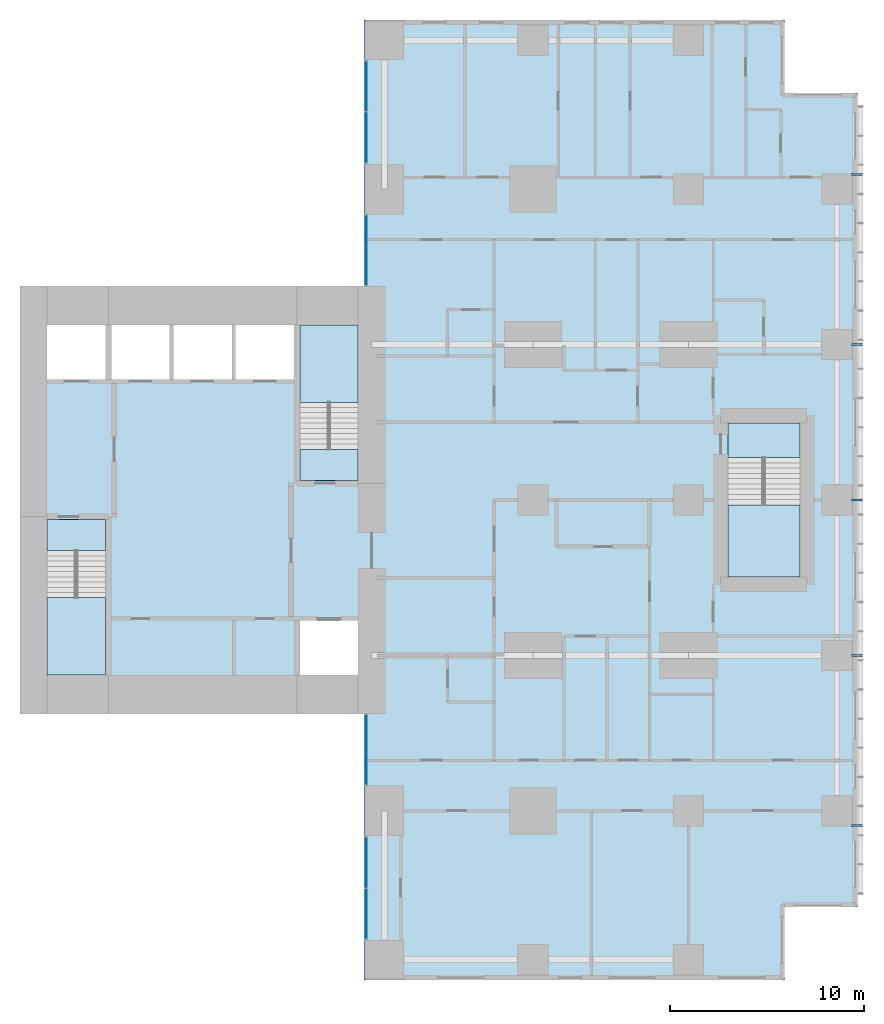
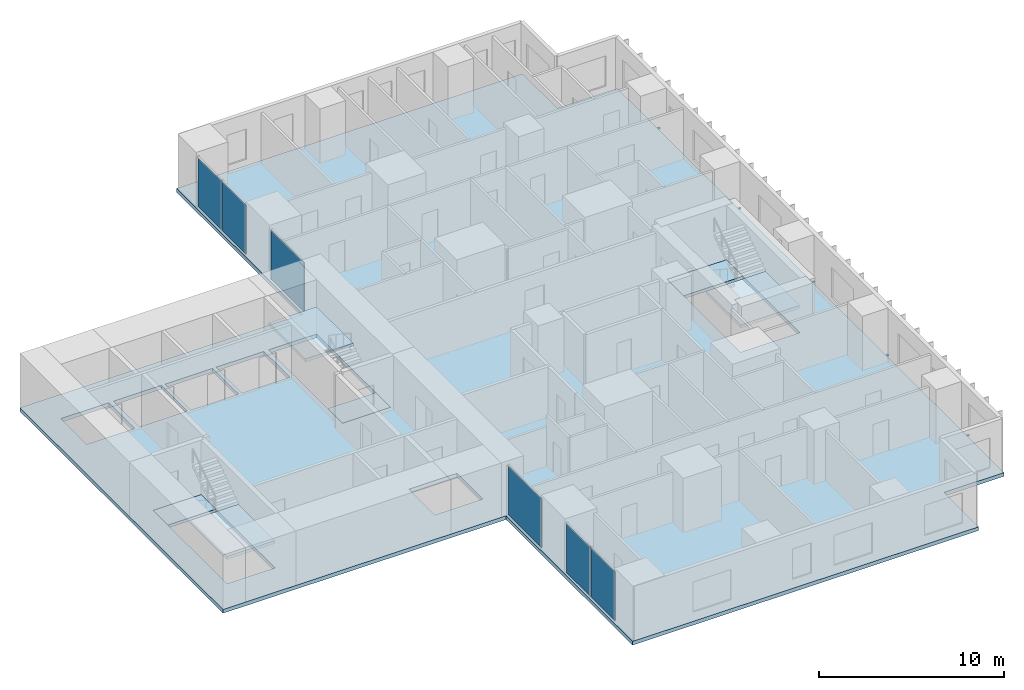
# One storey, part 4 of 12: 7 slabs, 6 plates, 5 members, 7 elements without a shape of their own.
"""IFC4 building model written with IfcOpenShell, lengths in metres."""

from ifc_helpers import new_model, si_unit, direction, frame, origin, origin_2d, place, context, subcontext, project, spatial, polyline, rectangle, hollow_rectangle, outline, extrude, material, layer, layer_set, material_profile, profile_set, type_object, element, aggregate, save


model = new_model("IFC4")

# Units and contexts
model_context = context("Model", 3, precision=1e-05, world=origin(), true_north=direction((0.0, 1.0)))
body_context = subcontext(model_context, "Body", "Model", "MODEL_VIEW")
ifc_project = project(units=[si_unit("LENGTHUNIT", "METRE"), si_unit("AREAUNIT", "SQUARE_METRE"), si_unit("VOLUMEUNIT", "CUBIC_METRE"), si_unit("PLANEANGLEUNIT", "RADIAN"), si_unit("MASSUNIT", "GRAM", prefix="KILO")], contexts=[model_context])

# Site, building, storey
site_placement = place(None, origin())
site = spatial("IfcSite", under=ifc_project, at=site_placement, CompositionType="ELEMENT")
building_placement = place(site_placement, origin())
building = spatial("IfcBuilding", under=site, at=building_placement, Name="Cleftline Residences", CompositionType="ELEMENT")
storey_placement = place(building_placement, frame((0.0, 0.0, 270.0)))
storey = spatial("IfcBuildingStorey", under=building, at=storey_placement, Name="L71", CompositionType="ELEMENT", Elevation=270.0)

# Members
ifc_material_1 = material(Name="Steel S355, hot-dip galvanised", Category="steel")
ifc_material_profile = material_profile(ifc_material_1, hollow_rectangle(XDim=0.10009765625, YDim=0.10009765625, WallThickness=0.008056640625, InnerFilletRadius=0.008056640625, OuterFilletRadius=0.011962890625, at=origin_2d()))
ifc_profile_set = profile_set([ifc_material_profile], Name="Steel S355, hot-dip galvanised")
member_type = type_object("IfcMemberType", Name="BAGUETTE BRACKET SHS 100X100X8", PredefinedType="USERDEFINED", material=ifc_profile_set)
for number, where, z_axis, x_axis, name in (
    (1, (66.39990234375, 7.25, -0.14990234375), (1.0, 0.0, 0.0), (0.0, 1.0, 0.0), "Baguette bracket"),
    (2, (66.39990234375, 16.0, -0.14990234375), (1.0, 0.0, 0.0), (0.0, 1.0, 0.0), "Baguette bracket"),
    (3, (66.39990234375, 24.0, -0.14990234375), (1.0, 0.0, 0.0), (0.0, 1.0, 0.0), "Baguette bracket"),
    (4, (66.39990234375, 32.0, -0.14990234375), (1.0, 0.0, 0.0), (0.0, 1.0, 0.0), "Baguette bracket"),
    (5, (66.39990234375, 40.75, -0.14990234375), (1.0, 0.0, 0.0), (0.0, 1.0, 0.0), "Baguette bracket"),
):
    element("IfcMember", number, at=place(storey_placement, frame(where, z_axis=z_axis, x_axis=x_axis)), inside=storey, type_object=member_type, Name=name, ObjectType="BAGUETTE BRACKET", PredefinedType="USERDEFINED", context=body_context, shape_type="SweptSolid", body=[
        extrude(hollow_rectangle(XDim=0.10009765625, YDim=0.10009765625, WallThickness=0.008056640625, InnerFilletRadius=0.008056640625, OuterFilletRadius=0.011962890625, at=origin_2d()), origin(), (0.0, 0.0, 1.0), 0.550048828125),
    ])

# Curtain wall, plate
ifc_material_2 = material(Name="Aluminium framed curtain wall", Category="aluminium")
ifc_layer_1 = layer(ifc_material_2, 0.199951171875)
ifc_layer_set_1 = layer_set([ifc_layer_1], Name="CW1 CLEFT GLAZING")
curtain_wall_type = type_object("IfcCurtainWallType", Name="CW1 CLEFT GLAZING", PredefinedType="NOTDEFINED", material=ifc_layer_set_1)
curtain_wall_1_placement = place(storey_placement, origin())
curtain_wall_1 = element("IfcCurtainWall", 6, at=curtain_wall_1_placement, inside=storey, type_object=curtain_wall_type, Name="Curtain wall CW1", PredefinedType="NOTDEFINED")
ifc_material_3 = material(Name="Laminated clear glass", Category="glass")
ifc_layer_2 = layer(ifc_material_3, 0.028076171875)
ifc_layer_set_2 = layer_set([ifc_layer_2], Name="CW1 GLASS PANEL")
plate_type = type_object("IfcPlateType", Name="CW1 GLASS PANEL", PredefinedType="CURTAIN_PANEL", material=ifc_layer_set_2)
plate_1_placement = place(storey_placement, frame((41.425048828125, 11.14990234375, 0.06005859375), z_axis=(0.0, 0.0, 1.0), x_axis=(0.0, -1.0, 0.0)))
plate_1 = element("IfcPlate", 7, at=plate_1_placement, type_object=plate_type, Name="CW1 panel 1.1", PredefinedType="CURTAIN_PANEL", context=body_context, shape_type="SweptSolid", body=[
    extrude(rectangle(XDim=3.580078125, YDim=0.028076171875, at=origin_2d()), origin(), (0.0, 0.0, 1.0), 3.22998046875),
])
aggregate(curtain_wall_1, [plate_1])

# Curtain wall, plates
curtain_wall_2_placement = place(storey_placement, origin())
curtain_wall_2 = element("IfcCurtainWall", 8, at=curtain_wall_2_placement, inside=storey, type_object=curtain_wall_type, Name="Curtain wall CW1", PredefinedType="NOTDEFINED")
plate_2_placement = place(storey_placement, frame((41.425048828125, 5.347412109375, 0.06005859375), z_axis=(0.0, 0.0, 1.0), x_axis=(0.0, -1.0, 0.0)))
plate_2 = element("IfcPlate", 9, at=plate_2_placement, type_object=plate_type, Name="CW1 panel 1.1", PredefinedType="CURTAIN_PANEL", context=body_context, shape_type="SweptSolid", body=[
    extrude(rectangle(XDim=2.5849609375, YDim=0.028076171875, at=origin_2d()), origin(), (0.0, 0.0, 1.0), 3.22998046875),
])
plate_3_placement = place(storey_placement, frame((41.425048828125, 2.702392578125, 0.06005859375), z_axis=(0.0, 0.0, 1.0), x_axis=(0.0, -1.0, 0.0)))
plate_3 = element("IfcPlate", 10, at=plate_3_placement, type_object=plate_type, Name="CW1 panel 2.1", PredefinedType="CURTAIN_PANEL", context=body_context, shape_type="SweptSolid", body=[
    extrude(rectangle(XDim=2.5849609375, YDim=0.028076171875, at=origin_2d()), origin(), (0.0, 0.0, 1.0), 3.22998046875),
])
aggregate(curtain_wall_2, [plate_2, plate_3])

curtain_wall_3_placement = place(storey_placement, origin())
curtain_wall_3 = element("IfcCurtainWall", 11, at=curtain_wall_3_placement, inside=storey, type_object=curtain_wall_type, Name="Curtain wall CW1", PredefinedType="NOTDEFINED")
plate_4_placement = place(storey_placement, frame((41.425048828125, 45.297607421875, 0.06005859375), z_axis=(0.0, 0.0, 1.0), x_axis=(0.0, -1.0, 0.0)))
plate_4 = element("IfcPlate", 12, at=plate_4_placement, type_object=plate_type, Name="CW1 panel 1.1", PredefinedType="CURTAIN_PANEL", context=body_context, shape_type="SweptSolid", body=[
    extrude(rectangle(XDim=2.5849609375, YDim=0.028076171875, at=origin_2d()), origin(), (0.0, 0.0, 1.0), 3.22998046875),
])
plate_5_placement = place(storey_placement, frame((41.425048828125, 42.652587890625, 0.06005859375), z_axis=(0.0, 0.0, 1.0), x_axis=(0.0, -1.0, 0.0)))
plate_5 = element("IfcPlate", 13, at=plate_5_placement, type_object=plate_type, Name="CW1 panel 2.1", PredefinedType="CURTAIN_PANEL", context=body_context, shape_type="SweptSolid", body=[
    extrude(rectangle(XDim=2.5849609375, YDim=0.028076171875, at=origin_2d()), origin(), (0.0, 0.0, 1.0), 3.22998046875),
])
aggregate(curtain_wall_3, [plate_4, plate_5])

# Curtain wall, plate
curtain_wall_4_placement = place(storey_placement, origin())
curtain_wall_4 = element("IfcCurtainWall", 14, at=curtain_wall_4_placement, inside=storey, type_object=curtain_wall_type, Name="Curtain wall CW1", PredefinedType="NOTDEFINED")
plate_6_placement = place(storey_placement, frame((41.425048828125, 36.85009765625, 0.06005859375), z_axis=(0.0, 0.0, 1.0), x_axis=(0.0, -1.0, 0.0)))
plate_6 = element("IfcPlate", 15, at=plate_6_placement, type_object=plate_type, Name="CW1 panel 1.1", PredefinedType="CURTAIN_PANEL", context=body_context, shape_type="SweptSolid", body=[
    extrude(rectangle(XDim=3.580078125, YDim=0.028076171875, at=origin_2d()), origin(), (0.0, 0.0, 1.0), 3.22998046875),
])
aggregate(curtain_wall_4, [plate_6])

# Slab
ifc_material_4 = material(Name="Concrete B45", Category="concrete")
ifc_layer_3 = layer(ifc_material_4, 0.25)
ifc_layer_set_3 = layer_set([ifc_layer_3], Name="FLOOR SLAB 250")
slab_type_1 = type_object("IfcSlabType", Name="FLOOR SLAB 250", PredefinedType="FLOOR", material=ifc_layer_set_3)
slab_1_placement = place(storey_placement, frame((0.0, 0.0, -0.25)))
element("IfcSlab", 16, at=slab_1_placement, inside=storey, type_object=slab_type_1, Name="Floor slab L71", PredefinedType="FLOOR", context=body_context, shape_type="SweptSolid", body=[
    extrude(outline(polyline([(41.300048828125, 13.0), (41.300048828125, -0.699951171875), (62.949951171875, -0.699951171875), (62.949951171875, 3.050048828125), (66.699951171875, 3.050048828125), (66.699951171875, 44.949951171875), (62.949951171875, 44.949951171875), (62.949951171875, 48.699951171875), (41.300048828125, 48.699951171875), (41.300048828125, 35.0), (23.60009765625, 35.0), (23.60009765625, 13.0), (41.300048828125, 13.0)]), holes=[polyline([(28.0, 15.0), (28.0, 23.0), (25.0, 23.0), (25.0, 15.0), (28.0, 15.0)]), polyline([(41.0, 25.0), (41.0, 33.0), (38.0, 33.0), (38.0, 25.0), (41.0, 25.0)]), polyline([(28.0, 30.199951171875), (28.0, 33.0), (25.0, 33.0), (25.0, 30.199951171875), (28.0, 30.199951171875)]), polyline([(41.0, 15.0), (41.0, 17.800048828125), (38.0, 17.800048828125), (38.0, 15.0), (41.0, 15.0)]), polyline([(31.300048828125, 30.199951171875), (31.300048828125, 33.0), (28.300048828125, 33.0), (28.300048828125, 30.199951171875), (31.300048828125, 30.199951171875)]), polyline([(34.5, 30.199951171875), (34.5, 33.0), (31.5, 33.0), (31.5, 30.199951171875), (34.5, 30.199951171875)]), polyline([(37.699951171875, 30.199951171875), (37.699951171875, 33.0), (34.699951171875, 33.0), (34.699951171875, 30.199951171875), (37.699951171875, 30.199951171875)]), polyline([(63.72509765625, 20.02490234375), (63.72509765625, 27.97509765625), (60.02490234375, 27.97509765625), (60.02490234375, 20.02490234375), (63.72509765625, 20.02490234375)])]), origin(), (0.0, 0.0, 1.0), 0.25),
])

# Stair, slabs
ifc_material_5 = material(Name="Concrete B45, stone treads", Category="masonry")
stair_type_1 = type_object("IfcStairType", Name="STAIR A 1450 WIDE 180 RISER", PredefinedType="HALF_TURN_STAIR", material=ifc_material_5)
stair_1_placement = place(storey_placement, origin())
stair_1 = element("IfcStair", 17, at=stair_1_placement, inside=storey, type_object=stair_type_1, Name="Stair A L71", PredefinedType="HALF_TURN_STAIR")
ifc_material_6 = material(Name="Concrete B45", Category="concrete")
ifc_layer_4 = layer(ifc_material_6, 0.199951171875)
ifc_layer_set_4 = layer_set([ifc_layer_4], Name="STAIR LANDING 200")
slab_type_2 = type_object("IfcSlabType", Name="STAIR LANDING 200", PredefinedType="LANDING", material=ifc_layer_set_4)
slab_2_placement = place(storey_placement, frame((0.0, 0.0, -0.199951171875)))
slab_2 = element("IfcSlab", 18, at=slab_2_placement, type_object=slab_type_2, Name="ST-A landing 1", PredefinedType="LANDING", context=body_context, shape_type="SweptSolid", body=[
    extrude(outline(polyline([(25.0, 21.39990234375), (28.0, 21.39990234375), (28.0, 23.0), (25.0, 23.0), (25.0, 21.39990234375)])), origin(), (0.0, 0.0, 1.0), 0.199951171875),
])
slab_3_placement = place(storey_placement, frame((0.0, 0.0, 1.60009765625)))
slab_3 = element("IfcSlab", 19, at=slab_3_placement, type_object=slab_type_2, Name="ST-A landing 2", PredefinedType="LANDING", context=body_context, shape_type="SweptSolid", body=[
    extrude(outline(polyline([(25.0, 15.0), (28.0, 15.0), (28.0, 18.969970703125), (25.0, 18.969970703125), (25.0, 15.0)])), origin(), (0.0, 0.0, 1.0), 0.199951171875),
])
aggregate(stair_1, [slab_2, slab_3])

ifc_material_7 = material(Name="Concrete B45, stone treads", Category="masonry")
stair_type_2 = type_object("IfcStairType", Name="STAIR B 1450 WIDE 180 RISER", PredefinedType="HALF_TURN_STAIR", material=ifc_material_7)
stair_2_placement = place(storey_placement, origin())
stair_2 = element("IfcStair", 20, at=stair_2_placement, inside=storey, type_object=stair_type_2, Name="Stair B L71", PredefinedType="HALF_TURN_STAIR")
slab_4_placement = place(storey_placement, frame((0.0, 0.0, -0.199951171875)))
slab_4 = element("IfcSlab", 21, at=slab_4_placement, type_object=slab_type_2, Name="ST-B landing 1", PredefinedType="LANDING", context=body_context, shape_type="SweptSolid", body=[
    extrude(outline(polyline([(38.0, 25.0), (41.0, 25.0), (41.0, 26.60009765625), (38.0, 26.60009765625), (38.0, 25.0)])), origin(), (0.0, 0.0, 1.0), 0.199951171875),
])
slab_5_placement = place(storey_placement, frame((0.0, 0.0, 1.60009765625)))
slab_5 = element("IfcSlab", 22, at=slab_5_placement, type_object=slab_type_2, Name="ST-B landing 2", PredefinedType="LANDING", context=body_context, shape_type="SweptSolid", body=[
    extrude(outline(polyline([(38.0, 29.030029296875), (41.0, 29.030029296875), (41.0, 33.0), (38.0, 33.0), (38.0, 29.030029296875)])), origin(), (0.0, 0.0, 1.0), 0.199951171875),
])
aggregate(stair_2, [slab_4, slab_5])

ifc_material_8 = material(Name="Concrete B45, stone treads", Category="masonry")
stair_type_3 = type_object("IfcStairType", Name="STAIR E 1800 WIDE 180 RISER", PredefinedType="HALF_TURN_STAIR", material=ifc_material_8)
stair_3_placement = place(storey_placement, origin())
stair_3 = element("IfcStair", 23, at=stair_3_placement, inside=storey, type_object=stair_type_3, Name="Stair E L71", PredefinedType="HALF_TURN_STAIR")
slab_6_placement = place(storey_placement, frame((0.0, 0.0, -0.199951171875)))
slab_6 = element("IfcSlab", 24, at=slab_6_placement, type_object=slab_type_2, Name="ST-E landing 1", PredefinedType="LANDING", context=body_context, shape_type="SweptSolid", body=[
    extrude(outline(polyline([(60.02490234375, 26.175048828125), (63.72509765625, 26.175048828125), (63.72509765625, 27.97509765625), (60.02490234375, 27.97509765625), (60.02490234375, 26.175048828125)])), origin(), (0.0, 0.0, 1.0), 0.199951171875),
])
slab_7_placement = place(storey_placement, frame((0.0, 0.0, 1.60009765625)))
slab_7 = element("IfcSlab", 25, at=slab_7_placement, type_object=slab_type_2, Name="ST-E landing 2", PredefinedType="LANDING", context=body_context, shape_type="SweptSolid", body=[
    extrude(outline(polyline([(60.02490234375, 20.02490234375), (63.72509765625, 20.02490234375), (63.72509765625, 23.7451171875), (60.02490234375, 23.7451171875), (60.02490234375, 20.02490234375)])), origin(), (0.0, 0.0, 1.0), 0.199951171875),
])
aggregate(stair_3, [slab_6, slab_7])

save(model, "model.ifc")
